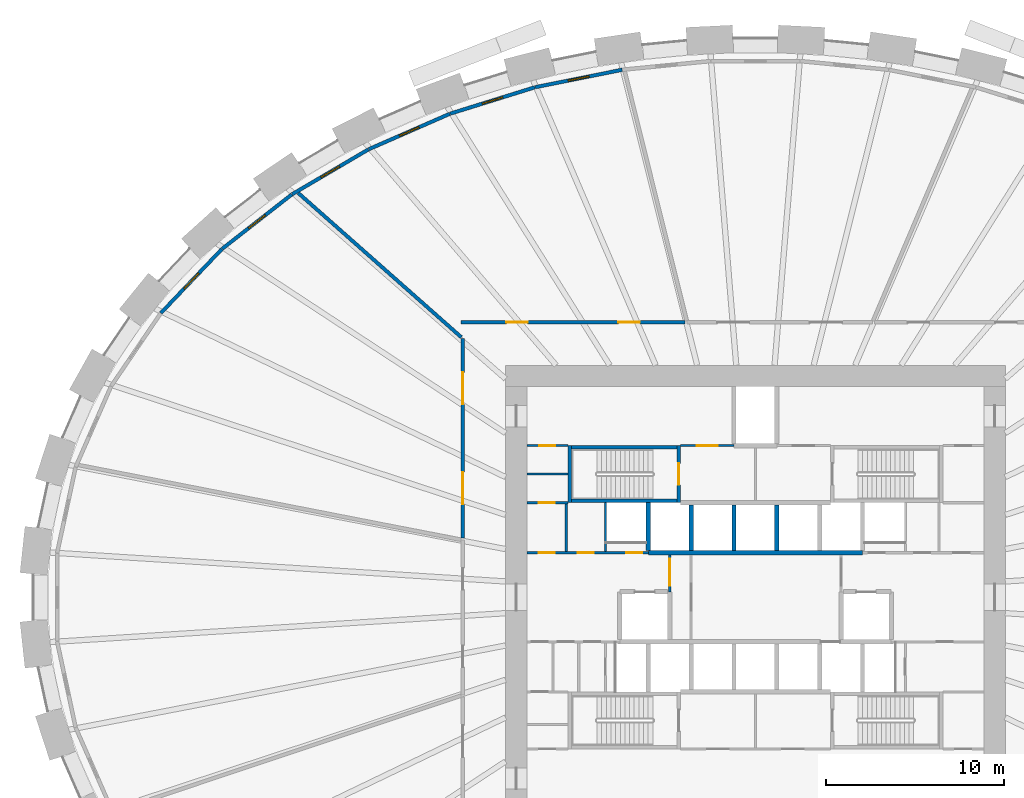
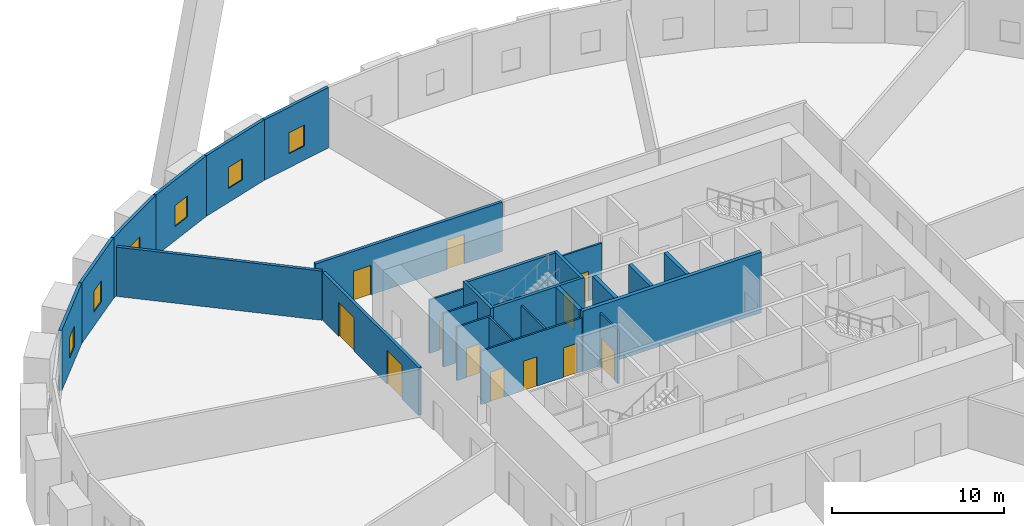
# One storey, part 6 of 9: 26 walls, 12 doors, 6 windows, 18 openings.
"""IFC4 building model written with IfcOpenShell, lengths in metres."""

from ifc_helpers import new_model, si_unit, direction, frame, frame_2d, origin, place, context, subcontext, project, spatial, rectangle, extrude, source, transform, mapped, material, layer, layer_set, type_object, element, fill, save


model = new_model("IFC4")

# Units and contexts
model_context = context("Model", 3, precision=1e-05, world=origin(), true_north=direction((0.0, 1.0)))
body_context = subcontext(model_context, "Body", "Model", "MODEL_VIEW")
ifc_project = project(units=[si_unit("LENGTHUNIT", "METRE"), si_unit("AREAUNIT", "SQUARE_METRE"), si_unit("VOLUMEUNIT", "CUBIC_METRE"), si_unit("PLANEANGLEUNIT", "RADIAN"), si_unit("MASSUNIT", "GRAM", prefix="KILO")], contexts=[model_context])

# Site, building, storey
site_placement = place(None, origin())
site = spatial("IfcSite", under=ifc_project, at=site_placement, CompositionType="ELEMENT")
building_placement = place(site_placement, origin())
building = spatial("IfcBuilding", under=site, at=building_placement, Name="Embergate Tower", CompositionType="ELEMENT")
storey_placement = place(building_placement, frame((0.0, 0.0, 53.60009765625)))
storey = spatial("IfcBuildingStorey", under=building, at=storey_placement, Name="L09", CompositionType="ELEMENT", Elevation=53.60009765625)

# Wall, opening, window
ifc_material_1 = material(Name="Terracotta louvre cladding on insulated backing", Category="masonry")
ifc_layer_1 = layer(ifc_material_1, 0.199951171875)
ifc_layer_set_1 = layer_set([ifc_layer_1], Name="Terracotta louvre cladding on insulated backing")
wall_type_1 = type_object("IfcWallType", Name="Terracotta louvre wall", PredefinedType="SOLIDWALL", material=ifc_layer_set_1)
shared_shape_1 = source(origin(), body_context, "Body", "SweptSolid", [
    extrude(rectangle(XDim=4.94384765625, YDim=0.199951171875, at=frame_2d((2.471923828125, 0.0))), origin(), (0.0, 0.0, 1.0), 4.2998046875),
])
wall_1_placement = place(storey_placement, frame((-33.30419921875, 15.92919921875, 0.0), z_axis=(0.0, 0.0, 1.0), x_axis=(0.690117440246, 0.723697394405, 0.0)))
wall_1 = element("IfcWall", 1, at=wall_1_placement, inside=storey, type_object=wall_type_1, Name="Louvre wall 18", PredefinedType="SOLIDWALL", context=body_context, shape_type="MappedRepresentation", body=[
    mapped(shared_shape_1, transform((0.0, 0.0, 0.0))),
])
shared_shape_2 = source(origin(), body_context, "Body", "SweptSolid", [
    extrude(rectangle(XDim=1.199951171875, YDim=1.5, at=frame_2d((0.60009765625, 0.75))), frame((0.0, 0.10986328125, 0.0), z_axis=(0.0, -1.0, 0.0), x_axis=(1.0, 0.0, 0.0)), (0.0, 0.0, 1.0), 0.219970703125),
])
opening_1_placement = place(wall_1_placement, frame((1.871826171875, 0.0, 1.0)))
opening_1 = element("IfcOpeningElement", 2, at=opening_1_placement, cuts=wall_1, Name="Opening RW", PredefinedType="OPENING", context=body_context, shape_type="MappedRepresentation", body=[
    mapped(shared_shape_2, transform((0.0, 0.0, 0.0))),
])
ifc_material_2 = material(Name="Aluminium, thermally broken, triple glazed", Category="aluminium")
window_type = type_object("IfcWindowType", Name="Refuge operable window", PartitioningType="SINGLE_PANEL", PredefinedType="WINDOW", material=ifc_material_2)
shared_shape_3 = source(origin(), body_context, "Body", "SweptSolid", [
    extrude(rectangle(XDim=1.199951171875, YDim=1.5, at=frame_2d((0.60009765625, 0.75))), frame((0.0, 0.030029296875, 0.0), z_axis=(0.0, -1.0, 0.0), x_axis=(1.0, 0.0, 0.0)), (0.0, 0.0, 1.0), 0.06005859375),
])
window_1_placement = place(opening_1_placement, origin())
window_1 = element("IfcWindow", 3, at=window_1_placement, inside=storey, type_object=window_type, Name="Refuge window 18", OverallHeight=1.5, OverallWidth=1.199951171875, PartitioningType="SINGLE_PANEL", PredefinedType="WINDOW", context=body_context, shape_type="MappedRepresentation", body=[
    mapped(shared_shape_3, transform((0.0, 0.0, 0.0))),
])
fill(opening_1, window_1)

shared_shape_4 = source(origin(), body_context, "Body", "SweptSolid", [
    extrude(rectangle(XDim=4.951416015625, YDim=0.199951171875, at=frame_2d((2.4755859375, 0.0))), origin(), (0.0, 0.0, 1.0), 4.2998046875),
])
wall_2_placement = place(storey_placement, frame((-29.877685546875, 19.5205078125, 0.0), z_axis=(0.0, 0.0, 1.0), x_axis=(0.788326282833, 0.615257402877, 0.0)))
wall_2 = element("IfcWall", 4, at=wall_2_placement, inside=storey, type_object=wall_type_1, Name="Louvre wall 17", PredefinedType="SOLIDWALL", context=body_context, shape_type="MappedRepresentation", body=[
    mapped(shared_shape_4, transform((0.0, 0.0, 0.0))),
])
opening_2_placement = place(wall_2_placement, frame((1.875732421875, 0.0, 1.0)))
opening_2 = element("IfcOpeningElement", 5, at=opening_2_placement, cuts=wall_2, Name="Opening RW", PredefinedType="OPENING", context=body_context, shape_type="MappedRepresentation", body=[
    mapped(shared_shape_2, transform((0.0, 0.0, 0.0))),
])
window_2_placement = place(opening_2_placement, origin())
window_2 = element("IfcWindow", 6, at=window_2_placement, inside=storey, type_object=window_type, Name="Refuge window 17", OverallHeight=1.5, OverallWidth=1.199951171875, PartitioningType="SINGLE_PANEL", PredefinedType="WINDOW", context=body_context, shape_type="MappedRepresentation", body=[
    mapped(shared_shape_3, transform((0.0, 0.0, 0.0))),
])
fill(opening_2, window_2)

shared_shape_5 = source(origin(), body_context, "Body", "SweptSolid", [
    extrude(rectangle(XDim=4.95751953125, YDim=0.199951171875, at=frame_2d((2.478759765625, 0.0))), origin(), (0.0, 0.0, 1.0), 4.2998046875),
])
wall_3_placement = place(storey_placement, frame((-25.957763671875, 22.577880859375, 0.0), z_axis=(0.0, 0.0, 1.0), x_axis=(0.86204306716, 0.506835032689, 0.0)))
wall_3 = element("IfcWall", 7, at=wall_3_placement, inside=storey, type_object=wall_type_1, Name="Louvre wall 16", PredefinedType="SOLIDWALL", context=body_context, shape_type="MappedRepresentation", body=[
    mapped(shared_shape_5, transform((0.0, 0.0, 0.0))),
])
opening_3_placement = place(wall_3_placement, frame((1.87890625, 0.0, 1.0)))
opening_3 = element("IfcOpeningElement", 8, at=opening_3_placement, cuts=wall_3, Name="Opening RW", PredefinedType="OPENING", context=body_context, shape_type="MappedRepresentation", body=[
    mapped(shared_shape_2, transform((0.0, 0.0, 0.0))),
])
window_3_placement = place(opening_3_placement, origin())
window_3 = element("IfcWindow", 9, at=window_3_placement, inside=storey, type_object=window_type, Name="Refuge window 16", OverallHeight=1.5, OverallWidth=1.199951171875, PartitioningType="SINGLE_PANEL", PredefinedType="WINDOW", context=body_context, shape_type="MappedRepresentation", body=[
    mapped(shared_shape_3, transform((0.0, 0.0, 0.0))),
])
fill(opening_3, window_3)

shared_shape_6 = source(origin(), body_context, "Body", "SweptSolid", [
    extrude(rectangle(XDim=4.96240234375, YDim=0.199951171875, at=frame_2d((2.481201171875, 0.0))), origin(), (0.0, 0.0, 1.0), 4.2998046875),
])
wall_4_placement = place(storey_placement, frame((-21.66650390625, 25.099609375, 0.0), z_axis=(0.0, 0.0, 1.0), x_axis=(0.916221684268, 0.40067171759, 0.0)))
wall_4 = element("IfcWall", 10, at=wall_4_placement, inside=storey, type_object=wall_type_1, Name="Louvre wall 15", PredefinedType="SOLIDWALL", context=body_context, shape_type="MappedRepresentation", body=[
    mapped(shared_shape_6, transform((0.0, 0.0, 0.0))),
])
opening_4_placement = place(wall_4_placement, frame((1.881103515625, 0.0, 1.0)))
opening_4 = element("IfcOpeningElement", 11, at=opening_4_placement, cuts=wall_4, Name="Opening RW", PredefinedType="OPENING", context=body_context, shape_type="MappedRepresentation", body=[
    mapped(shared_shape_2, transform((0.0, 0.0, 0.0))),
])
window_4_placement = place(opening_4_placement, origin())
window_4 = element("IfcWindow", 12, at=window_4_placement, inside=storey, type_object=window_type, Name="Refuge window 15", OverallHeight=1.5, OverallWidth=1.199951171875, PartitioningType="SINGLE_PANEL", PredefinedType="WINDOW", context=body_context, shape_type="MappedRepresentation", body=[
    mapped(shared_shape_3, transform((0.0, 0.0, 0.0))),
])
fill(opening_4, window_4)

shared_shape_7 = source(origin(), body_context, "Body", "SweptSolid", [
    extrude(rectangle(XDim=4.965576171875, YDim=0.199951171875, at=frame_2d((2.48291015625, 0.0))), origin(), (0.0, 0.0, 1.0), 4.2998046875),
])
wall_5_placement = place(storey_placement, frame((-17.10107421875, 27.0947265625, 0.0), z_axis=(0.0, 0.0, 1.0), x_axis=(0.954765614981, 0.297359412916, 0.0)))
wall_5 = element("IfcWall", 13, at=wall_5_placement, inside=storey, type_object=wall_type_1, Name="Louvre wall 14", PredefinedType="SOLIDWALL", context=body_context, shape_type="MappedRepresentation", body=[
    mapped(shared_shape_7, transform((0.0, 0.0, 0.0))),
])
opening_5_placement = place(wall_5_placement, frame((1.8828125, 0.0, 1.0)))
opening_5 = element("IfcOpeningElement", 14, at=opening_5_placement, cuts=wall_5, Name="Opening RW", PredefinedType="OPENING", context=body_context, shape_type="MappedRepresentation", body=[
    mapped(shared_shape_2, transform((0.0, 0.0, 0.0))),
])
window_5_placement = place(opening_5_placement, origin())
window_5 = element("IfcWindow", 15, at=window_5_placement, inside=storey, type_object=window_type, Name="Refuge window 14", OverallHeight=1.5, OverallWidth=1.199951171875, PartitioningType="SINGLE_PANEL", PredefinedType="WINDOW", context=body_context, shape_type="MappedRepresentation", body=[
    mapped(shared_shape_3, transform((0.0, 0.0, 0.0))),
])
fill(opening_5, window_5)

shared_shape_8 = source(origin(), body_context, "Body", "SweptSolid", [
    extrude(rectangle(XDim=4.9677734375, YDim=0.199951171875, at=frame_2d((2.48388671875, 0.0))), origin(), (0.0, 0.0, 1.0), 4.2998046875),
])
wall_6_placement = place(storey_placement, frame((-12.3408203125, 28.576171875, 0.0), z_axis=(0.0, 0.0, 1.0), x_axis=(0.980478473898, 0.196626453515, 0.0)))
wall_6 = element("IfcWall", 16, at=wall_6_placement, inside=storey, type_object=wall_type_1, Name="Louvre wall 13", PredefinedType="SOLIDWALL", context=body_context, shape_type="MappedRepresentation", body=[
    mapped(shared_shape_8, transform((0.0, 0.0, 0.0))),
])
opening_6_placement = place(wall_6_placement, frame((1.8837890625, 0.0, 1.0)))
opening_6 = element("IfcOpeningElement", 17, at=opening_6_placement, cuts=wall_6, Name="Opening RW", PredefinedType="OPENING", context=body_context, shape_type="MappedRepresentation", body=[
    mapped(shared_shape_2, transform((0.0, 0.0, 0.0))),
])
window_6_placement = place(opening_6_placement, origin())
window_6 = element("IfcWindow", 18, at=window_6_placement, inside=storey, type_object=window_type, Name="Refuge window 13", OverallHeight=1.5, OverallWidth=1.199951171875, PartitioningType="SINGLE_PANEL", PredefinedType="WINDOW", context=body_context, shape_type="MappedRepresentation", body=[
    mapped(shared_shape_3, transform((0.0, 0.0, 0.0))),
])
fill(opening_6, window_6)

# Wall
ifc_material_3 = material(Name="Concrete C50", Category="concrete")
ifc_layer_2 = layer(ifc_material_3, 0.25)
ifc_layer_set_2 = layer_set([ifc_layer_2], Name="Concrete C50")
wall_type_2 = type_object("IfcWallType", Name="Hoistway wall reinforced concrete 250", PredefinedType="SHEAR", material=ifc_layer_set_2)
shared_shape_9 = source(origin(), body_context, "Body", "SweptSolid", [
    extrude(rectangle(XDim=2.675048828125, YDim=0.25, at=frame_2d((1.33740234375, 0.0))), origin(), (0.0, 0.0, 1.0), 4.2998046875),
])
wall_7_placement = place(storey_placement, frame((-6.0, 2.625, 0.0), z_axis=(0.0, 0.0, 1.0), x_axis=(0.0, 1.0, 0.0)))
element("IfcWall", 19, at=wall_7_placement, inside=storey, type_object=wall_type_2, Name="HW-1 wall", PredefinedType="SHEAR", context=body_context, shape_type="MappedRepresentation", body=[
    mapped(shared_shape_9, transform((0.0, 0.0, 0.0))),
])

# Wall, openings, doors
ifc_material_4 = material(Name="Core partition blockwork 120")
ifc_layer_3 = layer(ifc_material_4, 0.1201171875)
ifc_layer_set_3 = layer_set([ifc_layer_3], Name="Core partition blockwork 120")
wall_type_3 = type_object("IfcWallType", Name="Core partition blockwork 120", PredefinedType="PARTITIONING", material=ifc_layer_set_3)
shared_shape_10 = source(origin(), body_context, "Body", "SweptSolid", [
    extrude(rectangle(XDim=6.800048828125, YDim=0.1201171875, at=frame_2d((3.39990234375, 0.0))), origin(), (0.0, 0.0, 1.0), 3.7998046875),
])
wall_8_placement = place(storey_placement, frame((-12.800048828125, 2.5, 0.0), z_axis=(0.0, 0.0, 1.0), x_axis=(1.0, 0.0, 0.0)))
wall_8 = element("IfcWall", 20, at=wall_8_placement, inside=storey, type_object=wall_type_3, Name="IP-3 wall", PredefinedType="PARTITIONING", context=body_context, shape_type="MappedRepresentation", body=[
    mapped(shared_shape_10, transform((0.0, 0.0, 0.0))),
])
shared_shape_11 = source(origin(), body_context, "Body", "SweptSolid", [
    extrude(rectangle(XDim=0.89990234375, YDim=2.10009765625, at=frame_2d((0.449951171875, 1.050048828125))), frame((0.0, 0.070068359375, 0.0), z_axis=(0.0, -1.0, 0.0), x_axis=(1.0, 0.0, 0.0)), (0.0, 0.0, 1.0), 0.14013671875),
])
opening_7_placement = place(wall_8_placement, frame((5.550048828125, 0.0, 0.0)))
opening_7 = element("IfcOpeningElement", 21, at=opening_7_placement, cuts=wall_8, Name="Opening ID-1", PredefinedType="OPENING", context=body_context, shape_type="MappedRepresentation", body=[
    mapped(shared_shape_11, transform((0.0, 0.0, 0.0))),
])
opening_8_placement = place(wall_8_placement, frame((0.64990234375, 0.0, 0.0)))
opening_8 = element("IfcOpeningElement", 22, at=opening_8_placement, cuts=wall_8, Name="Opening ID-1", PredefinedType="OPENING", context=body_context, shape_type="MappedRepresentation", body=[
    mapped(shared_shape_11, transform((0.0, 0.0, 0.0))),
])
opening_9_placement = place(wall_8_placement, frame((2.85009765625, 0.0, 0.0)))
opening_9 = element("IfcOpeningElement", 23, at=opening_9_placement, cuts=wall_8, Name="Opening ID-1", PredefinedType="OPENING", context=body_context, shape_type="MappedRepresentation", body=[
    mapped(shared_shape_11, transform((0.0, 0.0, 0.0))),
])
ifc_material_5 = material(Name="Interior door 900")
door_type_1 = type_object("IfcDoorType", Name="Interior door 900", OperationType="SINGLE_SWING_LEFT", PredefinedType="DOOR", material=ifc_material_5)
shared_shape_12 = source(origin(), body_context, "Body", "SweptSolid", [
    extrude(rectangle(XDim=0.89990234375, YDim=2.10009765625, at=frame_2d((0.449951171875, 1.050048828125))), frame((0.0, 0.02490234375, 0.0), z_axis=(0.0, -1.0, 0.0), x_axis=(1.0, 0.0, 0.0)), (0.0, 0.0, 1.0), 0.050048828125),
])
door_1_placement = place(opening_7_placement, origin())
door_1 = element("IfcDoor", 24, at=door_1_placement, inside=storey, type_object=door_type_1, Name="ID-1 door", OperationType="SINGLE_SWING_RIGHT", OverallHeight=2.10009765625, OverallWidth=0.89990234375, PredefinedType="DOOR", context=body_context, shape_type="MappedRepresentation", body=[
    mapped(shared_shape_12, transform((0.0, 0.0, 0.0))),
])
fill(opening_7, door_1)
door_2_placement = place(opening_8_placement, origin())
door_2 = element("IfcDoor", 25, at=door_2_placement, inside=storey, type_object=door_type_1, Name="ID-1 door", OperationType="SINGLE_SWING_LEFT", OverallHeight=2.10009765625, OverallWidth=0.89990234375, PredefinedType="DOOR", context=body_context, shape_type="MappedRepresentation", body=[
    mapped(shared_shape_12, transform((0.0, 0.0, 0.0))),
])
fill(opening_8, door_2)
door_3_placement = place(opening_9_placement, origin())
door_3 = element("IfcDoor", 26, at=door_3_placement, inside=storey, type_object=door_type_1, Name="ID-1 door", OperationType="SINGLE_SWING_LEFT", OverallHeight=2.10009765625, OverallWidth=0.89990234375, PredefinedType="DOOR", context=body_context, shape_type="MappedRepresentation", body=[
    mapped(shared_shape_12, transform((0.0, 0.0, 0.0))),
])
fill(opening_9, door_3)

# Walls
ifc_layer_4 = layer(ifc_material_3, 0.199951171875)
ifc_layer_set_4 = layer_set([ifc_layer_4], Name="Concrete C50")
wall_type_4 = type_object("IfcWallType", Name="Stair enclosure wall reinforced concrete 250", PredefinedType="SHEAR", material=ifc_layer_set_4)
shared_shape_13 = source(origin(), body_context, "Body", "SweptSolid", [
    extrude(rectangle(XDim=6.300048828125, YDim=0.199951171875, at=frame_2d((3.14990234375, 0.0))), origin(), (0.0, 0.0, 1.0), 4.2998046875),
])
for number, where, z_axis, x_axis, name in (
    (27, (-4.199951171875, 5.39990234375, 0.0), (0.0, 0.0, 1.0), (-1.0, 0.0, 0.0), "SE-1 wall"),
    (28, (-4.199951171875, 8.39990234375, 0.0), (0.0, 0.0, 1.0), (-1.0, 0.0, 0.0), "SE-1 wall"),
):
    element("IfcWall", number, at=place(storey_placement, frame(where, z_axis=z_axis, x_axis=x_axis)), inside=storey, type_object=wall_type_4, Name=name, PredefinedType="SHEAR", context=body_context, shape_type="MappedRepresentation", body=[
        mapped(shared_shape_13, transform((0.0, 0.0, 0.0))),
    ])
shared_shape_14 = source(origin(), body_context, "Body", "SweptSolid", [
    extrude(rectangle(XDim=2.739990234375, YDim=0.1201171875, at=frame_2d((1.3701171875, 0.0))), origin(), (0.0, 0.0, 1.0), 3.7998046875),
])
wall_9_placement = place(storey_placement, frame((-8.39990234375, 5.300048828125, 0.0), z_axis=(0.0, 0.0, 1.0), x_axis=(0.0, -1.0, 0.0)))
element("IfcWall", 29, at=wall_9_placement, inside=storey, type_object=wall_type_3, Name="IP-3 wall", PredefinedType="PARTITIONING", context=body_context, shape_type="MappedRepresentation", body=[
    mapped(shared_shape_14, transform((0.0, 0.0, 0.0))),
])
shared_shape_15 = source(origin(), body_context, "Body", "SweptSolid", [
    extrude(rectangle(XDim=2.550048828125, YDim=0.25, at=frame_2d((1.27490234375, 0.0))), origin(), (0.0, 0.0, 1.0), 4.2998046875),
])
for number, where, z_axis, x_axis, name in (
    (30, (-3.60009765625, 2.625, 0.0), (0.0, 0.0, 1.0), (0.0, 1.0, 0.0), "HW-1 wall"),
    (31, (-1.199951171875, 2.625, 0.0), (0.0, 0.0, 1.0), (0.0, 1.0, 0.0), "HW-1 wall"),
    (32, (1.199951171875, 2.625, 0.0), (0.0, 0.0, 1.0), (0.0, 1.0, 0.0), "HW-1 wall"),
):
    element("IfcWall", number, at=place(storey_placement, frame(where, z_axis=z_axis, x_axis=x_axis)), inside=storey, type_object=wall_type_2, Name=name, PredefinedType="SHEAR", context=body_context, shape_type="MappedRepresentation", body=[
        mapped(shared_shape_15, transform((0.0, 0.0, 0.0))),
    ])
shared_shape_16 = source(origin(), body_context, "Body", "SweptSolid", [
    extrude(rectangle(XDim=12.0, YDim=0.25, at=frame_2d((6.0, 0.0))), origin(), (0.0, 0.0, 1.0), 4.2998046875),
])
wall_10_placement = place(storey_placement, frame((-6.0, 2.5, 0.0), z_axis=(0.0, 0.0, 1.0), x_axis=(1.0, 0.0, 0.0)))
element("IfcWall", 33, at=wall_10_placement, inside=storey, type_object=wall_type_2, Name="HW-1 wall", PredefinedType="SHEAR", context=body_context, shape_type="MappedRepresentation", body=[
    mapped(shared_shape_16, transform((0.0, 0.0, 0.0))),
])

# Wall, opening, door
shared_shape_17 = source(origin(), body_context, "Body", "SweptSolid", [
    extrude(rectangle(XDim=2.074951171875, YDim=0.1201171875, at=frame_2d((1.03759765625, 0.0))), origin(), (0.0, 0.0, 1.0), 3.7998046875),
])
wall_11_placement = place(storey_placement, frame((-4.800048828125, 2.375, 0.0), z_axis=(0.0, 0.0, 1.0), x_axis=(0.0, -1.0, 0.0)))
wall_11 = element("IfcWall", 34, at=wall_11_placement, inside=storey, type_object=wall_type_3, Name="IP-3 wall", PredefinedType="PARTITIONING", context=body_context, shape_type="MappedRepresentation", body=[
    mapped(shared_shape_17, transform((0.0, 0.0, 0.0))),
])
shared_shape_18 = source(origin(), body_context, "Body", "SweptSolid", [
    extrude(rectangle(XDim=1.5, YDim=2.10009765625, at=frame_2d((0.75, 1.050048828125))), frame((0.0, 0.070068359375, 0.0), z_axis=(0.0, -1.0, 0.0), x_axis=(1.0, 0.0, 0.0)), (0.0, 0.0, 1.0), 0.14013671875),
])
opening_10_placement = place(wall_11_placement, frame((0.22509765625, 0.0, 0.0)))
opening_10 = element("IfcOpeningElement", 35, at=opening_10_placement, cuts=wall_11, Name="Opening IF-3", PredefinedType="OPENING", context=body_context, shape_type="MappedRepresentation", body=[
    mapped(shared_shape_18, transform((0.0, 0.0, 0.0))),
])
ifc_material_6 = material(Name="Lobby fire door pair 1500")
door_type_2 = type_object("IfcDoorType", Name="Lobby fire door pair 1500", OperationType="DOUBLE_DOOR_SINGLE_SWING", PredefinedType="DOOR", material=ifc_material_6)
shared_shape_19 = source(origin(), body_context, "Body", "SweptSolid", [
    extrude(rectangle(XDim=1.5, YDim=2.10009765625, at=frame_2d((0.75, 1.050048828125))), frame((0.0, 0.02490234375, 0.0), z_axis=(0.0, -1.0, 0.0), x_axis=(1.0, 0.0, 0.0)), (0.0, 0.0, 1.0), 0.050048828125),
])
door_4_placement = place(opening_10_placement, origin())
door_4 = element("IfcDoor", 36, at=door_4_placement, inside=storey, type_object=door_type_2, Name="IF-3 door", OperationType="DOUBLE_DOOR_SINGLE_SWING", OverallHeight=2.10009765625, OverallWidth=1.5, PredefinedType="DOOR", context=body_context, shape_type="MappedRepresentation", body=[
    mapped(shared_shape_19, transform((0.0, 0.0, 0.0))),
])
fill(opening_10, door_4)

shared_shape_20 = source(origin(), body_context, "Body", "SweptSolid", [
    extrude(rectangle(XDim=3.199951171875, YDim=0.199951171875, at=frame_2d((1.60009765625, 0.0))), origin(), (0.0, 0.0, 1.0), 4.2998046875),
])
wall_12_placement = place(storey_placement, frame((-4.300048828125, 5.300048828125, 0.0), z_axis=(0.0, 0.0, 1.0), x_axis=(0.0, 1.0, 0.0)))
wall_12 = element("IfcWall", 37, at=wall_12_placement, inside=storey, type_object=wall_type_4, Name="SE-1 wall", PredefinedType="SHEAR", context=body_context, shape_type="MappedRepresentation", body=[
    mapped(shared_shape_20, transform((0.0, 0.0, 0.0))),
])
shared_shape_21 = source(origin(), body_context, "Body", "SweptSolid", [
    extrude(rectangle(XDim=1.199951171875, YDim=2.10009765625, at=frame_2d((0.60009765625, 1.050048828125))), frame((0.0, 0.10986328125, 0.0), z_axis=(0.0, -1.0, 0.0), x_axis=(1.0, 0.0, 0.0)), (0.0, 0.0, 1.0), 0.219970703125),
])
opening_11_placement = place(wall_12_placement, frame((1.0, 0.0, 0.0)))
opening_11 = element("IfcOpeningElement", 38, at=opening_11_placement, cuts=wall_12, Name="Opening IF-2", PredefinedType="OPENING", context=body_context, shape_type="MappedRepresentation", body=[
    mapped(shared_shape_21, transform((0.0, 0.0, 0.0))),
])
ifc_material_7 = material(Name="Stair enclosure door 1200")
door_type_3 = type_object("IfcDoorType", Name="Stair enclosure door 1200", OperationType="SINGLE_SWING_LEFT", PredefinedType="DOOR", material=ifc_material_7)
shared_shape_22 = source(origin(), body_context, "Body", "SweptSolid", [
    extrude(rectangle(XDim=1.199951171875, YDim=2.10009765625, at=frame_2d((0.60009765625, 1.050048828125))), frame((0.0, 0.02490234375, 0.0), z_axis=(0.0, -1.0, 0.0), x_axis=(1.0, 0.0, 0.0)), (0.0, 0.0, 1.0), 0.050048828125),
])
door_5_placement = place(opening_11_placement, origin())
door_5 = element("IfcDoor", 39, at=door_5_placement, inside=storey, type_object=door_type_3, Name="IF-2 door", OperationType="SINGLE_SWING_LEFT", OverallHeight=2.10009765625, OverallWidth=1.199951171875, PredefinedType="DOOR", context=body_context, shape_type="MappedRepresentation", body=[
    mapped(shared_shape_22, transform((0.0, 0.0, 0.0))),
])
fill(opening_11, door_5)

# Wall
wall_13_placement = place(storey_placement, frame((-10.39990234375, 8.5, 0.0), z_axis=(0.0, 0.0, 1.0), x_axis=(0.0, -1.0, 0.0)))
element("IfcWall", 40, at=wall_13_placement, inside=storey, type_object=wall_type_4, Name="SE-1 wall", PredefinedType="SHEAR", context=body_context, shape_type="MappedRepresentation", body=[
    mapped(shared_shape_20, transform((0.0, 0.0, 0.0))),
])

# Wall, opening, door
shared_shape_23 = source(origin(), body_context, "Body", "SweptSolid", [
    extrude(rectangle(XDim=3.0, YDim=0.1201171875, at=frame_2d((1.5, 0.0))), origin(), (0.0, 0.0, 1.0), 3.7998046875),
])
wall_14_placement = place(storey_placement, frame((-1.199951171875, 8.5, 0.0), z_axis=(0.0, 0.0, 1.0), x_axis=(-1.0, 0.0, 0.0)))
wall_14 = element("IfcWall", 41, at=wall_14_placement, inside=storey, type_object=wall_type_3, Name="IP-3 wall", PredefinedType="PARTITIONING", context=body_context, shape_type="MappedRepresentation", body=[
    mapped(shared_shape_23, transform((0.0, 0.0, 0.0))),
])
shared_shape_24 = source(origin(), body_context, "Body", "SweptSolid", [
    extrude(rectangle(XDim=1.199951171875, YDim=2.10009765625, at=frame_2d((0.60009765625, 1.050048828125))), frame((0.0, 0.070068359375, 0.0), z_axis=(0.0, -1.0, 0.0), x_axis=(1.0, 0.0, 0.0)), (0.0, 0.0, 1.0), 0.14013671875),
])
opening_12_placement = place(wall_14_placement, frame((0.89990234375, 0.0, 0.0)))
opening_12 = element("IfcOpeningElement", 42, at=opening_12_placement, cuts=wall_14, Name="Opening IF-3f", PredefinedType="OPENING", context=body_context, shape_type="MappedRepresentation", body=[
    mapped(shared_shape_24, transform((0.0, 0.0, 0.0))),
])
ifc_material_8 = material(Name="Lobby fire door pair 1200")
door_type_4 = type_object("IfcDoorType", Name="Lobby fire door pair 1200", OperationType="DOUBLE_DOOR_SINGLE_SWING", PredefinedType="DOOR", material=ifc_material_8)
door_6_placement = place(opening_12_placement, origin())
door_6 = element("IfcDoor", 43, at=door_6_placement, inside=storey, type_object=door_type_4, Name="IF-3 door", OperationType="DOUBLE_DOOR_SINGLE_SWING", OverallHeight=2.10009765625, OverallWidth=1.199951171875, PredefinedType="DOOR", context=body_context, shape_type="MappedRepresentation", body=[
    mapped(shared_shape_22, transform((0.0, 0.0, 0.0))),
])
fill(opening_12, door_6)

shared_shape_25 = source(origin(), body_context, "Body", "SweptSolid", [
    extrude(rectangle(XDim=2.300048828125, YDim=0.1201171875, at=frame_2d((1.14990234375, 0.0))), origin(), (0.0, 0.0, 1.0), 3.7998046875),
])
wall_15_placement = place(storey_placement, frame((-12.800048828125, 8.5, 0.0), z_axis=(0.0, 0.0, 1.0), x_axis=(1.0, 0.0, 0.0)))
wall_15 = element("IfcWall", 44, at=wall_15_placement, inside=storey, type_object=wall_type_3, Name="IP-3 wall", PredefinedType="PARTITIONING", context=body_context, shape_type="MappedRepresentation", body=[
    mapped(shared_shape_25, transform((0.0, 0.0, 0.0))),
])
opening_13_placement = place(wall_15_placement, frame((0.699951171875, 0.0, 0.0)))
opening_13 = element("IfcOpeningElement", 45, at=opening_13_placement, cuts=wall_15, Name="Opening ID-1", PredefinedType="OPENING", context=body_context, shape_type="MappedRepresentation", body=[
    mapped(shared_shape_11, transform((0.0, 0.0, 0.0))),
])
door_7_placement = place(opening_13_placement, origin())
door_7 = element("IfcDoor", 46, at=door_7_placement, inside=storey, type_object=door_type_1, Name="ID-1 door", OperationType="SINGLE_SWING_LEFT", OverallHeight=2.10009765625, OverallWidth=0.89990234375, PredefinedType="DOOR", context=body_context, shape_type="MappedRepresentation", body=[
    mapped(shared_shape_12, transform((0.0, 0.0, 0.0))),
])
fill(opening_13, door_7)

wall_16_placement = place(storey_placement, frame((-10.5, 5.300048828125, 0.0), z_axis=(0.0, 0.0, 1.0), x_axis=(-1.0, 0.0, 0.0)))
wall_16 = element("IfcWall", 47, at=wall_16_placement, inside=storey, type_object=wall_type_3, Name="IP-3 wall", PredefinedType="PARTITIONING", context=body_context, shape_type="MappedRepresentation", body=[
    mapped(shared_shape_25, transform((0.0, 0.0, 0.0))),
])
opening_14_placement = place(wall_16_placement, frame((0.75, 0.0, 0.0)))
opening_14 = element("IfcOpeningElement", 48, at=opening_14_placement, cuts=wall_16, Name="Opening ID-1", PredefinedType="OPENING", context=body_context, shape_type="MappedRepresentation", body=[
    mapped(shared_shape_11, transform((0.0, 0.0, 0.0))),
])
door_8_placement = place(opening_14_placement, origin())
door_8 = element("IfcDoor", 49, at=door_8_placement, inside=storey, type_object=door_type_1, Name="ID-1 door", OperationType="SINGLE_SWING_LEFT", OverallHeight=2.10009765625, OverallWidth=0.89990234375, PredefinedType="DOOR", context=body_context, shape_type="MappedRepresentation", body=[
    mapped(shared_shape_12, transform((0.0, 0.0, 0.0))),
])
fill(opening_14, door_8)

# Walls
wall_17_placement = place(storey_placement, frame((-10.5, 6.89990234375, 0.0), z_axis=(0.0, 0.0, 1.0), x_axis=(-1.0, 0.0, 0.0)))
element("IfcWall", 50, at=wall_17_placement, inside=storey, type_object=wall_type_3, Name="IP-3 wall", PredefinedType="PARTITIONING", context=body_context, shape_type="MappedRepresentation", body=[
    mapped(shared_shape_25, transform((0.0, 0.0, 0.0))),
])
shared_shape_26 = source(origin(), body_context, "Body", "SweptSolid", [
    extrude(rectangle(XDim=2.679931640625, YDim=0.1201171875, at=frame_2d((1.33984375, 0.0))), origin(), (0.0, 0.0, 1.0), 3.7998046875),
])
wall_18_placement = place(storey_placement, frame((-10.60009765625, 2.56005859375, 0.0), z_axis=(0.0, 0.0, 1.0), x_axis=(0.0, 1.0, 0.0)))
element("IfcWall", 51, at=wall_18_placement, inside=storey, type_object=wall_type_3, Name="IP-3 wall", PredefinedType="PARTITIONING", context=body_context, shape_type="MappedRepresentation", body=[
    mapped(shared_shape_26, transform((0.0, 0.0, 0.0))),
])

# Wall, openings, doors
ifc_material_9 = material(Name="Blockwork, plastered", Category="masonry")
ifc_layer_5 = layer(ifc_material_9, 0.199951171875)
ifc_layer_set_5 = layer_set([ifc_layer_5], Name="Blockwork, plastered")
wall_type_5 = type_object("IfcWallType", Name="Fire partition wall 200 block", PredefinedType="PARTITIONING", material=ifc_layer_set_5)
shared_shape_27 = source(origin(), body_context, "Body", "SweptSolid", [
    extrude(rectangle(XDim=11.18798828125, YDim=0.199951171875, at=frame_2d((5.593994140625, 0.0))), origin(), (0.0, 0.0, 1.0), 3.39990234375),
])
wall_19_placement = place(storey_placement, frame((-16.39990234375, 3.31494140625, 0.0), z_axis=(0.0, 0.0, 1.0), x_axis=(0.0, 1.0, 0.0)))
wall_19 = element("IfcWall", 52, at=wall_19_placement, inside=storey, type_object=wall_type_5, Name="Partition 005", PredefinedType="PARTITIONING", context=body_context, shape_type="MappedRepresentation", body=[
    mapped(shared_shape_27, transform((0.0, 0.0, 0.0))),
])
shared_shape_28 = source(origin(), body_context, "Body", "SweptSolid", [
    extrude(rectangle(XDim=1.800048828125, YDim=2.39990234375, at=frame_2d((0.89990234375, 1.199951171875))), frame((0.0, 0.10986328125, 0.0), z_axis=(0.0, -1.0, 0.0), x_axis=(1.0, 0.0, 0.0)), (0.0, 0.0, 1.0), 0.219970703125),
])
opening_15_placement = place(wall_19_placement, frame((1.89697265625, 0.0, 0.0)))
opening_15 = element("IfcOpeningElement", 53, at=opening_15_placement, cuts=wall_19, Name="Opening DS-141", PredefinedType="OPENING", context=body_context, shape_type="MappedRepresentation", body=[
    mapped(shared_shape_28, transform((0.0, 0.0, 0.0))),
])
opening_16_placement = place(wall_19_placement, frame((7.490966796875, 0.0, 0.0)))
opening_16 = element("IfcOpeningElement", 54, at=opening_16_placement, cuts=wall_19, Name="Opening DS-142", PredefinedType="OPENING", context=body_context, shape_type="MappedRepresentation", body=[
    mapped(shared_shape_28, transform((0.0, 0.0, 0.0))),
])
ifc_material_10 = material(Name="Timber door leaf, steel frame", Category="steel")
door_type_5 = type_object("IfcDoorType", Name="Double door 1800x2400", OperationType="DOUBLE_DOOR_SINGLE_SWING", PredefinedType="DOOR", material=ifc_material_10)
shared_shape_29 = source(origin(), body_context, "Body", "SweptSolid", [
    extrude(rectangle(XDim=1.800048828125, YDim=2.39990234375, at=frame_2d((0.89990234375, 1.199951171875))), frame((0.0, 0.02490234375, 0.0), z_axis=(0.0, -1.0, 0.0), x_axis=(1.0, 0.0, 0.0)), (0.0, 0.0, 1.0), 0.050048828125),
])
door_9_placement = place(opening_15_placement, origin())
door_9 = element("IfcDoor", 55, at=door_9_placement, inside=storey, type_object=door_type_5, Name="Door to Refuge area", OperationType="SINGLE_SWING_LEFT", OverallHeight=2.39990234375, OverallWidth=1.800048828125, PredefinedType="DOOR", context=body_context, shape_type="MappedRepresentation", body=[
    mapped(shared_shape_29, transform((0.0, 0.0, 0.0))),
])
fill(opening_15, door_9)
door_10_placement = place(opening_16_placement, origin())
door_10 = element("IfcDoor", 56, at=door_10_placement, inside=storey, type_object=door_type_5, Name="Door to Refuge area", OperationType="SINGLE_SWING_LEFT", OverallHeight=2.39990234375, OverallWidth=1.800048828125, PredefinedType="DOOR", context=body_context, shape_type="MappedRepresentation", body=[
    mapped(shared_shape_29, transform((0.0, 0.0, 0.0))),
])
fill(opening_16, door_10)

# Wall
shared_shape_30 = source(origin(), body_context, "Body", "SweptSolid", [
    extrude(rectangle(XDim=12.194091796875, YDim=0.199951171875, at=frame_2d((6.09716796875, 0.0))), origin(), (0.0, 0.0, 1.0), 3.5),
])
wall_20_placement = place(storey_placement, frame((-16.47509765625, 14.569091796875, 0.0), z_axis=(0.0, 0.0, 1.0), x_axis=(-0.749038597502, 0.662526361326, 0.0)))
element("IfcWall", 57, at=wall_20_placement, inside=storey, type_object=wall_type_5, Name="Partition 006", PredefinedType="PARTITIONING", context=body_context, shape_type="MappedRepresentation", body=[
    mapped(shared_shape_30, transform((0.0, 0.0, 0.0))),
])

# Wall, openings, doors
shared_shape_31 = source(origin(), body_context, "Body", "SweptSolid", [
    extrude(rectangle(XDim=12.56298828125, YDim=0.199951171875, at=frame_2d((6.281494140625, 0.0))), origin(), (0.0, 0.0, 1.0), 3.5),
])
wall_21_placement = place(storey_placement, frame((-16.5, 15.39990234375, 0.0), z_axis=(0.0, 0.0, 1.0), x_axis=(1.0, 0.0, 0.0)))
wall_21 = element("IfcWall", 58, at=wall_21_placement, inside=storey, type_object=wall_type_5, Name="Partition 007", PredefinedType="PARTITIONING", context=body_context, shape_type="MappedRepresentation", body=[
    mapped(shared_shape_31, transform((0.0, 0.0, 0.0))),
])
opening_17_placement = place(wall_21_placement, frame((2.541015625, 0.0, 0.0)))
opening_17 = element("IfcOpeningElement", 59, at=opening_17_placement, cuts=wall_21, Name="Opening DS-139", PredefinedType="OPENING", context=body_context, shape_type="MappedRepresentation", body=[
    mapped(shared_shape_21, transform((0.0, 0.0, 0.0))),
])
opening_18_placement = place(wall_21_placement, frame((8.822021484375, 0.0, 0.0)))
opening_18 = element("IfcOpeningElement", 60, at=opening_18_placement, cuts=wall_21, Name="Opening DS-140", PredefinedType="OPENING", context=body_context, shape_type="MappedRepresentation", body=[
    mapped(shared_shape_21, transform((0.0, 0.0, 0.0))),
])
door_type_6 = type_object("IfcDoorType", Name="Plant door 1200x2100", OperationType="SINGLE_SWING_LEFT", PredefinedType="DOOR", material=ifc_material_10)
shared_shape_32 = source(origin(), body_context, "Body", "SweptSolid", [
    extrude(rectangle(XDim=1.199951171875, YDim=2.10009765625, at=frame_2d((0.60009765625, 1.050048828125))), frame((0.0, 0.02490234375, 0.0), z_axis=(0.0, -1.0, 0.0), x_axis=(1.0, 0.0, 0.0)), (0.0, 0.0, 1.0), 0.050048828125),
])
door_11_placement = place(opening_17_placement, origin())
door_11 = element("IfcDoor", 61, at=door_11_placement, inside=storey, type_object=door_type_6, Name="Door to Chiller plant", OperationType="SINGLE_SWING_LEFT", OverallHeight=2.10009765625, OverallWidth=1.199951171875, PredefinedType="DOOR", context=body_context, shape_type="MappedRepresentation", body=[
    mapped(shared_shape_32, transform((0.0, 0.0, 0.0))),
])
fill(opening_17, door_11)
door_12_placement = place(opening_18_placement, origin())
door_12 = element("IfcDoor", 62, at=door_12_placement, inside=storey, type_object=door_type_6, Name="Door to Chiller plant", OperationType="SINGLE_SWING_LEFT", OverallHeight=2.10009765625, OverallWidth=1.199951171875, PredefinedType="DOOR", context=body_context, shape_type="MappedRepresentation", body=[
    mapped(shared_shape_32, transform((0.0, 0.0, 0.0))),
])
fill(opening_18, door_12)

save(model, "model.ifc")
